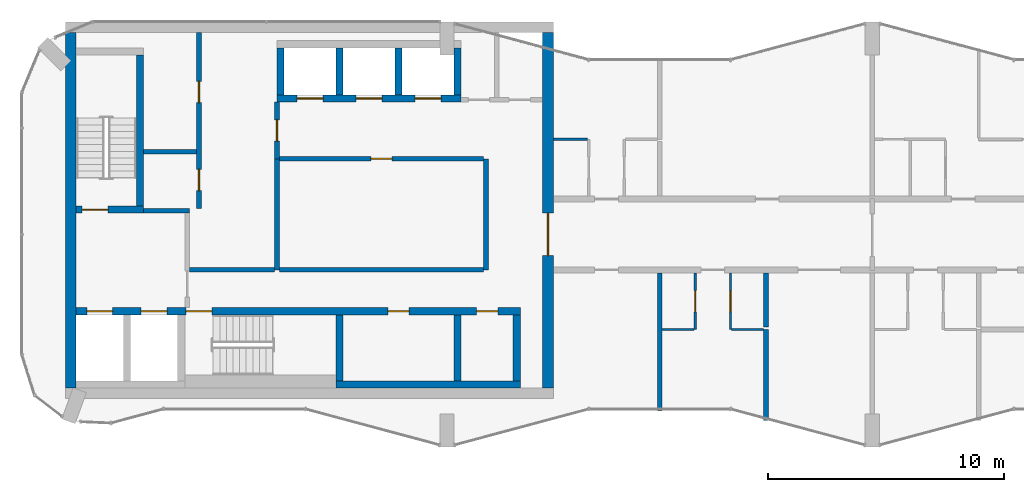
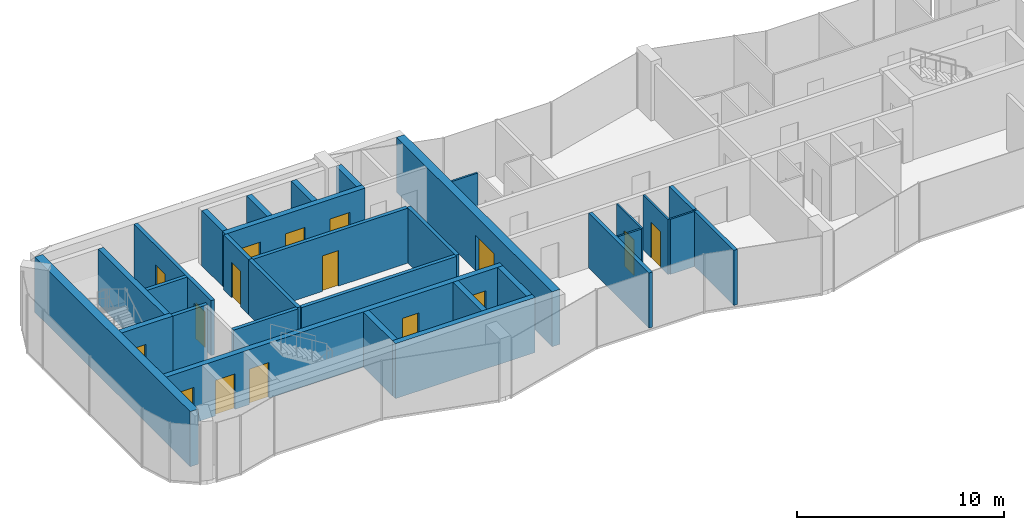
# One storey, part 7 of 10: 31 walls, 16 doors, 16 openings.
"""IFC4 building model written with IfcOpenShell, lengths in metres."""

from ifc_helpers import new_model, si_unit, direction, frame, frame_2d, origin, place, context, subcontext, project, spatial, rectangle, extrude, material, layer, layer_set, type_object, element, fill, save


model = new_model("IFC4")

# Units and contexts
model_context = context("Model", 3, precision=1e-05, world=origin(), true_north=direction((0.0, 1.0)))
body_context = subcontext(model_context, "Body", "Model", "MODEL_VIEW")
ifc_project = project(units=[si_unit("LENGTHUNIT", "METRE"), si_unit("AREAUNIT", "SQUARE_METRE"), si_unit("VOLUMEUNIT", "CUBIC_METRE"), si_unit("PLANEANGLEUNIT", "RADIAN"), si_unit("MASSUNIT", "GRAM", prefix="KILO")], contexts=[model_context])

# Site, building, storey
site_placement = place(None, origin())
site = spatial("IfcSite", under=ifc_project, at=site_placement, CompositionType="ELEMENT")
building_placement = place(site_placement, origin())
building = spatial("IfcBuilding", under=site, at=building_placement, Name="Plateau Cross Towers", CompositionType="ELEMENT")
storey_placement = place(building_placement, frame((0.0, 0.0, 270.39990234375)))
storey = spatial("IfcBuildingStorey", under=building, at=storey_placement, Name="L71", CompositionType="ELEMENT", Elevation=270.39990234375)

# Walls
ifc_material_1 = material(Name="Concrete block, plastered both sides", Category="concrete")
ifc_layer_1 = layer(ifc_material_1, 0.199951171875)
ifc_layer_set_1 = layer_set([ifc_layer_1], Name="Concrete block, plastered both sides")
wall_type_1 = type_object("IfcWallType", Name="Core partition 200", PredefinedType="PARTITIONING", material=ifc_layer_set_1)
wall_1_placement = place(storey_placement, frame((5.14990234375, 10.0, 0.0), z_axis=(0.0, 0.0, 1.0), x_axis=(1.0, 0.0, 0.0)))
element("IfcWall", 1, at=wall_1_placement, inside=storey, type_object=wall_type_1, Name="Core partition", PredefinedType="PARTITIONING", context=body_context, shape_type="SweptSolid", body=[
    extrude(rectangle(XDim=1.9501953125, YDim=0.199951171875, at=frame_2d((0.97509765625, 0.0))), origin(), (0.0, 0.0, 1.0), 3.25),
])
wall_2_placement = place(storey_placement, frame((7.10009765625, 7.5, 0.0), z_axis=(0.0, 0.0, 1.0), x_axis=(1.0, 0.0, 0.0)))
element("IfcWall", 2, at=wall_2_placement, inside=storey, type_object=wall_type_1, Name="Core partition", PredefinedType="PARTITIONING", context=body_context, shape_type="SweptSolid", body=[
    extrude(rectangle(XDim=3.599853515625, YDim=0.199951171875, at=frame_2d((1.7998046875, 0.0))), origin(), (0.0, 0.0, 1.0), 3.25),
])

# Wall, opening, door
wall_3_placement = place(storey_placement, frame((10.800048828125, 12.199951171875, 0.0), z_axis=(0.0, 0.0, 1.0), x_axis=(0.0, 1.0, 0.0)))
wall_3 = element("IfcWall", 3, at=wall_3_placement, inside=storey, type_object=wall_type_1, Name="Core partition", PredefinedType="PARTITIONING", context=body_context, shape_type="SweptSolid", body=[
    extrude(rectangle(XDim=2.400146484375, YDim=0.199951171875, at=frame_2d((1.2001953125, 0.0))), origin(), (0.0, 0.0, 1.0), 3.25),
])
opening_1_placement = place(wall_3_placement, frame((0.75, 0.0, 0.0)))
opening_1 = element("IfcOpeningElement", 4, at=opening_1_placement, cuts=wall_3, Name="Opening RD1", PredefinedType="OPENING", context=body_context, shape_type="SweptSolid", body=[
    extrude(rectangle(XDim=0.89990234375, YDim=2.10009765625, at=frame_2d((0.449951171875, 1.050048828125))), frame((0.0, 0.10986328125, 0.0), z_axis=(0.0, -1.0, 0.0), x_axis=(1.0, 0.0, 0.0)), (0.0, 0.0, 1.0), 0.219970703125),
])
ifc_material_2 = material(Name="Timber, fire-resisting leaf", Category="wood")
door_type_1 = type_object("IfcDoorType", Name="Core service door 900", OperationType="NOTDEFINED", PredefinedType="DOOR", material=ifc_material_2)
door_1_placement = place(opening_1_placement, origin())
door_1 = element("IfcDoor", 5, at=door_1_placement, inside=storey, type_object=door_type_1, Name="Core service door RD1", OperationType="SINGLE_SWING_LEFT", OverallHeight=2.10009765625, OverallWidth=0.89990234375, PredefinedType="DOOR", context=body_context, shape_type="SweptSolid", body=[
    extrude(rectangle(XDim=0.89990234375, YDim=2.10009765625, at=frame_2d((0.449951171875, 1.050048828125))), frame((0.0, 0.02490234375, 0.0), z_axis=(0.0, -1.0, 0.0), x_axis=(1.0, 0.0, 0.0)), (0.0, 0.0, 1.0), 0.050048828125),
])
fill(opening_1, door_1)

# Walls
wall_4_placement = place(storey_placement, frame((10.800048828125, 7.5, 0.0), z_axis=(0.0, 0.0, 1.0), x_axis=(0.0, 1.0, 0.0)))
element("IfcWall", 6, at=wall_4_placement, inside=storey, type_object=wall_type_1, Name="Core partition", PredefinedType="PARTITIONING", context=body_context, shape_type="SweptSolid", body=[
    extrude(rectangle(XDim=4.699951171875, YDim=0.199951171875, at=frame_2d((2.35009765625, 0.0))), origin(), (0.0, 0.0, 1.0), 3.25),
])
wall_5_placement = place(storey_placement, frame((10.89990234375, 7.5, 0.0), z_axis=(0.0, 0.0, 1.0), x_axis=(1.0, 0.0, 0.0)))
element("IfcWall", 7, at=wall_5_placement, inside=storey, type_object=wall_type_1, Name="Core partition", PredefinedType="PARTITIONING", context=body_context, shape_type="SweptSolid", body=[
    extrude(rectangle(XDim=8.650146484375, YDim=0.199951171875, at=frame_2d((4.3251953125, 0.0))), origin(), (0.0, 0.0, 1.0), 3.25),
])
wall_6_placement = place(storey_placement, frame((19.64990234375, 7.5, 0.0), z_axis=(0.0, 0.0, 1.0), x_axis=(0.0, 1.0, 0.0)))
element("IfcWall", 8, at=wall_6_placement, inside=storey, type_object=wall_type_1, Name="Core partition", PredefinedType="PARTITIONING", context=body_context, shape_type="SweptSolid", body=[
    extrude(rectangle(XDim=4.699951171875, YDim=0.199951171875, at=frame_2d((2.35009765625, 0.0))), origin(), (0.0, 0.0, 1.0), 3.25),
])

# Wall, opening, door
wall_7_placement = place(storey_placement, frame((10.89990234375, 12.199951171875, 0.0), z_axis=(0.0, 0.0, 1.0), x_axis=(1.0, 0.0, 0.0)))
wall_7 = element("IfcWall", 9, at=wall_7_placement, inside=storey, type_object=wall_type_1, Name="Core partition", PredefinedType="PARTITIONING", context=body_context, shape_type="SweptSolid", body=[
    extrude(rectangle(XDim=8.650146484375, YDim=0.199951171875, at=frame_2d((4.3251953125, 0.0))), origin(), (0.0, 0.0, 1.0), 3.25),
])
opening_2_placement = place(wall_7_placement, frame((3.875, 0.0, 0.0)))
opening_2 = element("IfcOpeningElement", 10, at=opening_2_placement, cuts=wall_7, Name="Opening RD1", PredefinedType="OPENING", context=body_context, shape_type="SweptSolid", body=[
    extrude(rectangle(XDim=0.89990234375, YDim=2.10009765625, at=frame_2d((0.449951171875, 1.050048828125))), frame((0.0, 0.10986328125, 0.0), z_axis=(0.0, -1.0, 0.0), x_axis=(1.0, 0.0, 0.0)), (0.0, 0.0, 1.0), 0.219970703125),
])
door_2_placement = place(opening_2_placement, origin())
door_2 = element("IfcDoor", 11, at=door_2_placement, inside=storey, type_object=door_type_1, Name="Core service door RD1", OperationType="SINGLE_SWING_LEFT", OverallHeight=2.10009765625, OverallWidth=0.89990234375, PredefinedType="DOOR", context=body_context, shape_type="SweptSolid", body=[
    extrude(rectangle(XDim=0.89990234375, YDim=2.10009765625, at=frame_2d((0.449951171875, 1.050048828125))), frame((0.0, 0.02490234375, 0.0), z_axis=(0.0, -1.0, 0.0), x_axis=(1.0, 0.0, 0.0)), (0.0, 0.0, 1.0), 0.050048828125),
])
fill(opening_2, door_2)

# Wall, openings, doors
wall_8_placement = place(storey_placement, frame((7.5, 10.10009765625, 0.0), z_axis=(0.0, 0.0, 1.0), x_axis=(0.0, 1.0, 0.0)))
wall_8 = element("IfcWall", 12, at=wall_8_placement, inside=storey, type_object=wall_type_1, Name="Core partition", PredefinedType="PARTITIONING", context=body_context, shape_type="SweptSolid", body=[
    extrude(rectangle(XDim=7.449951171875, YDim=0.199951171875, at=frame_2d((3.72509765625, 0.0))), origin(), (0.0, 0.0, 1.0), 3.25),
])
opening_3_placement = place(wall_8_placement, frame((0.75, 0.0, 0.0)))
opening_3 = element("IfcOpeningElement", 13, at=opening_3_placement, cuts=wall_8, Name="Opening RD1", PredefinedType="OPENING", context=body_context, shape_type="SweptSolid", body=[
    extrude(rectangle(XDim=0.89990234375, YDim=2.10009765625, at=frame_2d((0.449951171875, 1.050048828125))), frame((0.0, 0.10986328125, 0.0), z_axis=(0.0, -1.0, 0.0), x_axis=(1.0, 0.0, 0.0)), (0.0, 0.0, 1.0), 0.219970703125),
])
opening_4_placement = place(wall_8_placement, frame((4.47509765625, 0.0, 0.0)))
opening_4 = element("IfcOpeningElement", 14, at=opening_4_placement, cuts=wall_8, Name="Opening RD1", PredefinedType="OPENING", context=body_context, shape_type="SweptSolid", body=[
    extrude(rectangle(XDim=0.89990234375, YDim=2.10009765625, at=frame_2d((0.449951171875, 1.050048828125))), frame((0.0, 0.10986328125, 0.0), z_axis=(0.0, -1.0, 0.0), x_axis=(1.0, 0.0, 0.0)), (0.0, 0.0, 1.0), 0.219970703125),
])
door_3_placement = place(opening_3_placement, origin())
door_3 = element("IfcDoor", 15, at=door_3_placement, inside=storey, type_object=door_type_1, Name="Core service door RD1", OperationType="SINGLE_SWING_RIGHT", OverallHeight=2.10009765625, OverallWidth=0.89990234375, PredefinedType="DOOR", context=body_context, shape_type="SweptSolid", body=[
    extrude(rectangle(XDim=0.89990234375, YDim=2.10009765625, at=frame_2d((0.449951171875, 1.050048828125))), frame((0.0, 0.02490234375, 0.0), z_axis=(0.0, -1.0, 0.0), x_axis=(1.0, 0.0, 0.0)), (0.0, 0.0, 1.0), 0.050048828125),
])
fill(opening_3, door_3)
door_4_placement = place(opening_4_placement, origin())
door_4 = element("IfcDoor", 16, at=door_4_placement, inside=storey, type_object=door_type_1, Name="Core service door RD1", OperationType="SINGLE_SWING_RIGHT", OverallHeight=2.10009765625, OverallWidth=0.89990234375, PredefinedType="DOOR", context=body_context, shape_type="SweptSolid", body=[
    extrude(rectangle(XDim=0.89990234375, YDim=2.10009765625, at=frame_2d((0.449951171875, 1.050048828125))), frame((0.0, 0.02490234375, 0.0), z_axis=(0.0, -1.0, 0.0), x_axis=(1.0, 0.0, 0.0)), (0.0, 0.0, 1.0), 0.050048828125),
])
fill(opening_4, door_4)

# Walls
wall_9_placement = place(storey_placement, frame((5.14990234375, 12.5, 0.0), z_axis=(0.0, 0.0, 1.0), x_axis=(1.0, 0.0, 0.0)))
element("IfcWall", 17, at=wall_9_placement, inside=storey, type_object=wall_type_1, Name="Core partition", PredefinedType="PARTITIONING", context=body_context, shape_type="SweptSolid", body=[
    extrude(rectangle(XDim=2.25, YDim=0.199951171875, at=frame_2d((1.125, 0.0))), origin(), (0.0, 0.0, 1.0), 3.25),
])
ifc_material_3 = material(Name="Concrete C60/75", Category="concrete")
ifc_layer_2 = layer(ifc_material_3, 0.300048828125)
ifc_layer_set_2 = layer_set([ifc_layer_2], Name="Concrete C60/75")
wall_type_2 = type_object("IfcWallType", Name="Core shaft wall 300", PredefinedType="SHEAR", material=ifc_layer_set_2)
wall_10_placement = place(storey_placement, frame((13.300048828125, 2.64990234375, 0.0), z_axis=(0.0, 0.0, 1.0), x_axis=(1.0, 0.0, 0.0)))
element("IfcWall", 18, at=wall_10_placement, inside=storey, type_object=wall_type_2, Name="A-sb-back3@L71", PredefinedType="SHEAR", context=body_context, shape_type="SweptSolid", body=[
    extrude(rectangle(XDim=7.800048828125, YDim=0.300048828125, at=frame_2d((3.89990234375, 0.0))), origin(), (0.0, 0.0, 1.0), 3.25),
])
for number, where, z_axis, x_axis, name in (
    (19, (13.449951171875, 2.800048828125, 0.0), (0.0, 0.0, 1.0), (0.0, 1.0, 0.0), "A-sb-v3@L71"),
    (20, (18.449951171875, 2.800048828125, 0.0), (0.0, 0.0, 1.0), (0.0, 1.0, 0.0), "A-sb-v5@L71"),
    (21, (20.949951171875, 2.800048828125, 0.0), (0.0, 0.0, 1.0), (0.0, 1.0, 0.0), "A-sb-v6@L71"),
):
    element("IfcWall", number, at=place(storey_placement, frame(where, z_axis=z_axis, x_axis=x_axis)), inside=storey, type_object=wall_type_2, Name=name, PredefinedType="SHEAR", context=body_context, shape_type="SweptSolid", body=[
        extrude(rectangle(XDim=2.800048828125, YDim=0.300048828125, at=frame_2d((1.39990234375, 0.0))), origin(), (0.0, 0.0, 1.0), 3.25),
    ])

# Wall, openings, doors
wall_11_placement = place(storey_placement, frame((2.300048828125, 5.75, 0.0), z_axis=(0.0, 0.0, 1.0), x_axis=(1.0, 0.0, 0.0)))
wall_11 = element("IfcWall", 22, at=wall_11_placement, inside=storey, type_object=wall_type_2, Name="A-sb-front@L71", PredefinedType="SHEAR", context=body_context, shape_type="SweptSolid", body=[
    extrude(rectangle(XDim=18.800048828125, YDim=0.300048828125, at=frame_2d((9.39990234375, 0.0))), origin(), (0.0, 0.0, 1.0), 3.25),
])
opening_5_placement = place(wall_11_placement, frame((4.64990234375, 0.0, 0.0)))
opening_5 = element("IfcOpeningElement", 23, at=opening_5_placement, cuts=wall_11, Name="Opening SD", PredefinedType="OPENING", context=body_context, shape_type="SweptSolid", body=[
    extrude(rectangle(XDim=1.10009765625, YDim=2.10009765625, at=frame_2d((0.550048828125, 1.050048828125))), frame((0.0, 0.159912109375, 0.0), z_axis=(0.0, -1.0, 0.0), x_axis=(1.0, 0.0, 0.0)), (0.0, 0.0, 1.0), 0.320068359375),
])
opening_6_placement = place(wall_11_placement, frame((0.449951171875, 0.0, 0.0)))
opening_6 = element("IfcOpeningElement", 24, at=opening_6_placement, cuts=wall_11, Name="Opening LD", PredefinedType="OPENING", context=body_context, shape_type="SweptSolid", body=[
    extrude(rectangle(XDim=1.10009765625, YDim=2.10009765625, at=frame_2d((0.550048828125, 1.050048828125))), frame((0.0, 0.159912109375, 0.0), z_axis=(0.0, -1.0, 0.0), x_axis=(1.0, 0.0, 0.0)), (0.0, 0.0, 1.0), 0.320068359375),
])
opening_7_placement = place(wall_11_placement, frame((2.75, 0.0, 0.0)))
opening_7 = element("IfcOpeningElement", 25, at=opening_7_placement, cuts=wall_11, Name="Opening LD", PredefinedType="OPENING", context=body_context, shape_type="SweptSolid", body=[
    extrude(rectangle(XDim=1.10009765625, YDim=2.10009765625, at=frame_2d((0.550048828125, 1.050048828125))), frame((0.0, 0.159912109375, 0.0), z_axis=(0.0, -1.0, 0.0), x_axis=(1.0, 0.0, 0.0)), (0.0, 0.0, 1.0), 0.320068359375),
])
opening_8_placement = place(wall_11_placement, frame((13.199951171875, 0.0, 0.0)))
opening_8 = element("IfcOpeningElement", 26, at=opening_8_placement, cuts=wall_11, Name="Opening RD2", PredefinedType="OPENING", context=body_context, shape_type="SweptSolid", body=[
    extrude(rectangle(XDim=0.89990234375, YDim=2.10009765625, at=frame_2d((0.449951171875, 1.050048828125))), frame((0.0, 0.159912109375, 0.0), z_axis=(0.0, -1.0, 0.0), x_axis=(1.0, 0.0, 0.0)), (0.0, 0.0, 1.0), 0.320068359375),
])
opening_9_placement = place(wall_11_placement, frame((16.949951171875, 0.0, 0.0)))
opening_9 = element("IfcOpeningElement", 27, at=opening_9_placement, cuts=wall_11, Name="Opening RD2", PredefinedType="OPENING", context=body_context, shape_type="SweptSolid", body=[
    extrude(rectangle(XDim=0.89990234375, YDim=2.10009765625, at=frame_2d((0.449951171875, 1.050048828125))), frame((0.0, 0.159912109375, 0.0), z_axis=(0.0, -1.0, 0.0), x_axis=(1.0, 0.0, 0.0)), (0.0, 0.0, 1.0), 0.320068359375),
])
ifc_material_4 = material(Name="Steel, fire-resisting leaf", Category="steel")
door_type_2 = type_object("IfcDoorType", Name="Core riser door 900", OperationType="NOTDEFINED", PredefinedType="DOOR", material=ifc_material_4)
door_5_placement = place(opening_8_placement, origin())
door_5 = element("IfcDoor", 28, at=door_5_placement, inside=storey, type_object=door_type_2, Name="Core riser door RD2", OperationType="SINGLE_SWING_LEFT", OverallHeight=2.10009765625, OverallWidth=0.89990234375, PredefinedType="DOOR", context=body_context, shape_type="SweptSolid", body=[
    extrude(rectangle(XDim=0.89990234375, YDim=2.10009765625, at=frame_2d((0.449951171875, 1.050048828125))), frame((0.0, 0.02490234375, 0.0), z_axis=(0.0, -1.0, 0.0), x_axis=(1.0, 0.0, 0.0)), (0.0, 0.0, 1.0), 0.050048828125),
])
fill(opening_8, door_5)
door_6_placement = place(opening_9_placement, origin())
door_6 = element("IfcDoor", 29, at=door_6_placement, inside=storey, type_object=door_type_2, Name="Core riser door RD2", OperationType="SINGLE_SWING_LEFT", OverallHeight=2.10009765625, OverallWidth=0.89990234375, PredefinedType="DOOR", context=body_context, shape_type="SweptSolid", body=[
    extrude(rectangle(XDim=0.89990234375, YDim=2.10009765625, at=frame_2d((0.449951171875, 1.050048828125))), frame((0.0, 0.02490234375, 0.0), z_axis=(0.0, -1.0, 0.0), x_axis=(1.0, 0.0, 0.0)), (0.0, 0.0, 1.0), 0.050048828125),
])
fill(opening_9, door_6)
ifc_material_5 = material(Name="Stainless steel, fire-resisting sliding leaves", Category="steel")
door_type_3 = type_object("IfcDoorType", Name="Lift landing door 1100", OperationType="NOTDEFINED", PredefinedType="DOOR", material=ifc_material_5)
door_7_placement = place(opening_6_placement, origin())
door_7 = element("IfcDoor", 30, at=door_7_placement, inside=storey, type_object=door_type_3, Name="Lift landing door LD", OperationType="DOUBLE_DOOR_SLIDING", OverallHeight=2.10009765625, OverallWidth=1.10009765625, PredefinedType="DOOR", context=body_context, shape_type="SweptSolid", body=[
    extrude(rectangle(XDim=1.10009765625, YDim=2.10009765625, at=frame_2d((0.550048828125, 1.050048828125))), frame((0.0, 0.02490234375, 0.0), z_axis=(0.0, -1.0, 0.0), x_axis=(1.0, 0.0, 0.0)), (0.0, 0.0, 1.0), 0.050048828125),
])
fill(opening_6, door_7)
door_8_placement = place(opening_7_placement, origin())
door_8 = element("IfcDoor", 31, at=door_8_placement, inside=storey, type_object=door_type_3, Name="Lift landing door LD", OperationType="DOUBLE_DOOR_SLIDING", OverallHeight=2.10009765625, OverallWidth=1.10009765625, PredefinedType="DOOR", context=body_context, shape_type="SweptSolid", body=[
    extrude(rectangle(XDim=1.10009765625, YDim=2.10009765625, at=frame_2d((0.550048828125, 1.050048828125))), frame((0.0, 0.02490234375, 0.0), z_axis=(0.0, -1.0, 0.0), x_axis=(1.0, 0.0, 0.0)), (0.0, 0.0, 1.0), 0.050048828125),
])
fill(opening_7, door_8)
door_type_4 = type_object("IfcDoorType", Name="Stair door 1100", OperationType="NOTDEFINED", PredefinedType="DOOR", material=ifc_material_4)
door_9_placement = place(opening_5_placement, origin())
door_9 = element("IfcDoor", 32, at=door_9_placement, inside=storey, type_object=door_type_4, Name="Stair door SD", OperationType="SINGLE_SWING_LEFT", OverallHeight=2.10009765625, OverallWidth=1.10009765625, PredefinedType="DOOR", context=body_context, shape_type="SweptSolid", body=[
    extrude(rectangle(XDim=1.10009765625, YDim=2.10009765625, at=frame_2d((0.550048828125, 1.050048828125))), frame((0.0, 0.02490234375, 0.0), z_axis=(0.0, -1.0, 0.0), x_axis=(1.0, 0.0, 0.0)), (0.0, 0.0, 1.0), 0.050048828125),
])
fill(opening_5, door_9)

# Wall, opening, door
wall_12_placement = place(storey_placement, frame((2.300048828125, 10.050048828125, 0.0), z_axis=(0.0, 0.0, 1.0), x_axis=(1.0, 0.0, 0.0)))
wall_12 = element("IfcWall", 33, at=wall_12_placement, inside=storey, type_object=wall_type_2, Name="A-st1-S@L71", PredefinedType="SHEAR", context=body_context, shape_type="SweptSolid", body=[
    extrude(rectangle(XDim=2.849853515625, YDim=0.300048828125, at=frame_2d((1.4248046875, 0.0))), origin(), (0.0, 0.0, 1.0), 3.25),
])
opening_10_placement = place(wall_12_placement, frame((0.25, 0.0, 0.0)))
opening_10 = element("IfcOpeningElement", 34, at=opening_10_placement, cuts=wall_12, Name="Opening SD", PredefinedType="OPENING", context=body_context, shape_type="SweptSolid", body=[
    extrude(rectangle(XDim=1.10009765625, YDim=2.10009765625, at=frame_2d((0.550048828125, 1.050048828125))), frame((0.0, 0.159912109375, 0.0), z_axis=(0.0, -1.0, 0.0), x_axis=(1.0, 0.0, 0.0)), (0.0, 0.0, 1.0), 0.320068359375),
])
door_10_placement = place(opening_10_placement, origin())
door_10 = element("IfcDoor", 35, at=door_10_placement, inside=storey, type_object=door_type_4, Name="Stair door SD", OperationType="SINGLE_SWING_RIGHT", OverallHeight=2.10009765625, OverallWidth=1.10009765625, PredefinedType="DOOR", context=body_context, shape_type="SweptSolid", body=[
    extrude(rectangle(XDim=1.10009765625, YDim=2.10009765625, at=frame_2d((0.550048828125, 1.050048828125))), frame((0.0, 0.02490234375, 0.0), z_axis=(0.0, -1.0, 0.0), x_axis=(1.0, 0.0, 0.0)), (0.0, 0.0, 1.0), 0.050048828125),
])
fill(opening_10, door_10)

# Wall
wall_13_placement = place(storey_placement, frame((5.0, 10.199951171875, 0.0), z_axis=(0.0, 0.0, 1.0), x_axis=(0.0, 1.0, 0.0)))
element("IfcWall", 36, at=wall_13_placement, inside=storey, type_object=wall_type_2, Name="A-st1-E@L71", PredefinedType="SHEAR", context=body_context, shape_type="SweptSolid", body=[
    extrude(rectangle(XDim=6.400146484375, YDim=0.300048828125, at=frame_2d((3.2001953125, 0.0))), origin(), (0.0, 0.0, 1.0), 3.25),
])

# Wall, openings, doors
wall_14_placement = place(storey_placement, frame((10.800048828125, 14.75, 0.0), z_axis=(0.0, 0.0, 1.0), x_axis=(1.0, 0.0, 0.0)))
wall_14 = element("IfcWall", 37, at=wall_14_placement, inside=storey, type_object=wall_type_2, Name="A-nb-front@L71", PredefinedType="SHEAR", context=body_context, shape_type="SweptSolid", body=[
    extrude(rectangle(XDim=7.800048828125, YDim=0.300048828125, at=frame_2d((3.89990234375, 0.0))), origin(), (0.0, 0.0, 1.0), 3.25),
])
opening_11_placement = place(wall_14_placement, frame((0.85009765625, 0.0, 0.0)))
opening_11 = element("IfcOpeningElement", 38, at=opening_11_placement, cuts=wall_14, Name="Opening LD", PredefinedType="OPENING", context=body_context, shape_type="SweptSolid", body=[
    extrude(rectangle(XDim=1.10009765625, YDim=2.10009765625, at=frame_2d((0.550048828125, 1.050048828125))), frame((0.0, 0.159912109375, 0.0), z_axis=(0.0, -1.0, 0.0), x_axis=(1.0, 0.0, 0.0)), (0.0, 0.0, 1.0), 0.320068359375),
])
opening_12_placement = place(wall_14_placement, frame((3.35009765625, 0.0, 0.0)))
opening_12 = element("IfcOpeningElement", 39, at=opening_12_placement, cuts=wall_14, Name="Opening LD", PredefinedType="OPENING", context=body_context, shape_type="SweptSolid", body=[
    extrude(rectangle(XDim=1.10009765625, YDim=2.10009765625, at=frame_2d((0.550048828125, 1.050048828125))), frame((0.0, 0.159912109375, 0.0), z_axis=(0.0, -1.0, 0.0), x_axis=(1.0, 0.0, 0.0)), (0.0, 0.0, 1.0), 0.320068359375),
])
opening_13_placement = place(wall_14_placement, frame((5.85009765625, 0.0, 0.0)))
opening_13 = element("IfcOpeningElement", 40, at=opening_13_placement, cuts=wall_14, Name="Opening LD", PredefinedType="OPENING", context=body_context, shape_type="SweptSolid", body=[
    extrude(rectangle(XDim=1.10009765625, YDim=2.10009765625, at=frame_2d((0.550048828125, 1.050048828125))), frame((0.0, 0.159912109375, 0.0), z_axis=(0.0, -1.0, 0.0), x_axis=(1.0, 0.0, 0.0)), (0.0, 0.0, 1.0), 0.320068359375),
])
door_11_placement = place(opening_11_placement, origin())
door_11 = element("IfcDoor", 41, at=door_11_placement, inside=storey, type_object=door_type_3, Name="Lift landing door LD", OperationType="DOUBLE_DOOR_SLIDING", OverallHeight=2.10009765625, OverallWidth=1.10009765625, PredefinedType="DOOR", context=body_context, shape_type="SweptSolid", body=[
    extrude(rectangle(XDim=1.10009765625, YDim=2.10009765625, at=frame_2d((0.550048828125, 1.050048828125))), frame((0.0, 0.02490234375, 0.0), z_axis=(0.0, -1.0, 0.0), x_axis=(1.0, 0.0, 0.0)), (0.0, 0.0, 1.0), 0.050048828125),
])
fill(opening_11, door_11)
door_12_placement = place(opening_12_placement, origin())
door_12 = element("IfcDoor", 42, at=door_12_placement, inside=storey, type_object=door_type_3, Name="Lift landing door LD", OperationType="DOUBLE_DOOR_SLIDING", OverallHeight=2.10009765625, OverallWidth=1.10009765625, PredefinedType="DOOR", context=body_context, shape_type="SweptSolid", body=[
    extrude(rectangle(XDim=1.10009765625, YDim=2.10009765625, at=frame_2d((0.550048828125, 1.050048828125))), frame((0.0, 0.02490234375, 0.0), z_axis=(0.0, -1.0, 0.0), x_axis=(1.0, 0.0, 0.0)), (0.0, 0.0, 1.0), 0.050048828125),
])
fill(opening_12, door_12)
door_13_placement = place(opening_13_placement, origin())
door_13 = element("IfcDoor", 43, at=door_13_placement, inside=storey, type_object=door_type_3, Name="Lift landing door LD", OperationType="DOUBLE_DOOR_SLIDING", OverallHeight=2.10009765625, OverallWidth=1.10009765625, PredefinedType="DOOR", context=body_context, shape_type="SweptSolid", body=[
    extrude(rectangle(XDim=1.10009765625, YDim=2.10009765625, at=frame_2d((0.550048828125, 1.050048828125))), frame((0.0, 0.02490234375, 0.0), z_axis=(0.0, -1.0, 0.0), x_axis=(1.0, 0.0, 0.0)), (0.0, 0.0, 1.0), 0.050048828125),
])
fill(opening_13, door_13)

# Walls
for number, where, z_axis, x_axis, name in (
    (44, (10.949951171875, 14.89990234375, 0.0), (0.0, 0.0, 1.0), (0.0, 1.0, 0.0), "A-nb-v1@L71"),
    (45, (13.449951171875, 14.89990234375, 0.0), (0.0, 0.0, 1.0), (0.0, 1.0, 0.0), "A-nb-v2@L71"),
    (46, (15.949951171875, 14.89990234375, 0.0), (0.0, 0.0, 1.0), (0.0, 1.0, 0.0), "A-nb-v3@L71"),
    (47, (18.449951171875, 14.89990234375, 0.0), (0.0, 0.0, 1.0), (0.0, 1.0, 0.0), "A-nb-v4@L71"),
):
    element("IfcWall", number, at=place(storey_placement, frame(where, z_axis=z_axis, x_axis=x_axis)), inside=storey, type_object=wall_type_2, Name=name, PredefinedType="SHEAR", context=body_context, shape_type="SweptSolid", body=[
        extrude(rectangle(XDim=2.0, YDim=0.300048828125, at=frame_2d((1.0, 0.0))), origin(), (0.0, 0.0, 1.0), 3.25),
    ])
ifc_layer_3 = layer(ifc_material_3, 0.449951171875)
ifc_layer_set_3 = layer_set([ifc_layer_3], Name="Concrete C60/75")
wall_type_3 = type_object("IfcWallType", Name="Core shell wall 450", PredefinedType="SHEAR", material=ifc_layer_set_3)
wall_15_placement = place(storey_placement, frame((2.074951171875, 2.5, 0.0), z_axis=(0.0, 0.0, 1.0), x_axis=(0.0, 1.0, 0.0)))
element("IfcWall", 48, at=wall_15_placement, inside=storey, type_object=wall_type_3, Name="A-core-W@L71", PredefinedType="SHEAR", context=body_context, shape_type="SweptSolid", body=[
    extrude(rectangle(XDim=15.050048828125, YDim=0.449951171875, at=frame_2d((7.52490234375, 0.0))), origin(), (0.0, 0.0, 1.0), 3.25),
])

# Wall, opening, door
wall_16_placement = place(storey_placement, frame((22.27490234375, 2.5, 0.0), z_axis=(0.0, 0.0, 1.0), x_axis=(0.0, 1.0, 0.0)))
wall_16 = element("IfcWall", 49, at=wall_16_placement, inside=storey, type_object=wall_type_3, Name="A-core-E@L71", PredefinedType="SHEAR", context=body_context, shape_type="SweptSolid", body=[
    extrude(rectangle(XDim=15.050048828125, YDim=0.449951171875, at=frame_2d((7.52490234375, 0.0))), origin(), (0.0, 0.0, 1.0), 3.25),
])
opening_14_placement = place(wall_16_placement, frame((5.60009765625, 0.0, 0.0)))
opening_14 = element("IfcOpeningElement", 50, at=opening_14_placement, cuts=wall_16, Name="Opening CD", PredefinedType="OPENING", context=body_context, shape_type="SweptSolid", body=[
    extrude(rectangle(XDim=1.800048828125, YDim=2.10009765625, at=frame_2d((0.89990234375, 1.050048828125))), frame((0.0, 0.23486328125, 0.0), z_axis=(0.0, -1.0, 0.0), x_axis=(1.0, 0.0, 0.0)), (0.0, 0.0, 1.0), 0.469970703125),
])
ifc_material_6 = material(Name="Steel, fire-resisting leaves", Category="steel")
door_type_5 = type_object("IfcDoorType", Name="Corridor door pair 1800", OperationType="NOTDEFINED", PredefinedType="DOOR", material=ifc_material_6)
door_14_placement = place(opening_14_placement, origin())
door_14 = element("IfcDoor", 51, at=door_14_placement, inside=storey, type_object=door_type_5, Name="Corridor door pair CD", OperationType="DOUBLE_DOOR_SINGLE_SWING", OverallHeight=2.10009765625, OverallWidth=1.800048828125, PredefinedType="DOOR", context=body_context, shape_type="SweptSolid", body=[
    extrude(rectangle(XDim=1.800048828125, YDim=2.10009765625, at=frame_2d((0.89990234375, 1.050048828125))), frame((0.0, 0.02490234375, 0.0), z_axis=(0.0, -1.0, 0.0), x_axis=(1.0, 0.0, 0.0)), (0.0, 0.0, 1.0), 0.050048828125),
])
fill(opening_14, door_14)

# Walls
ifc_material_7 = material(Name="Gypsum board on steel studs", Category="steel")
ifc_layer_4 = layer(ifc_material_7, 0.10009765625)
ifc_layer_set_4 = layer_set([ifc_layer_4], Name="Gypsum board on steel studs")
wall_type_4 = type_object("IfcWallType", Name="Flat partition 100", PredefinedType="PARTITIONING", material=ifc_layer_set_4)
for number, where, z_axis, x_axis, name in (
    (52, (27.10009765625, 4.97509765625, 0.0), (0.0, 0.0, 1.0), (1.0, 0.0, 0.0), "Partition wall"),
    (53, (30.050048828125, 4.97509765625, 0.0), (0.0, 0.0, 1.0), (1.0, 0.0, 0.0), "Partition wall"),
):
    element("IfcWall", number, at=place(storey_placement, frame(where, z_axis=z_axis, x_axis=x_axis)), inside=storey, type_object=wall_type_4, Name=name, PredefinedType="PARTITIONING", context=body_context, shape_type="SweptSolid", body=[
        extrude(rectangle(XDim=1.349853515625, YDim=0.10009765625, at=frame_2d((0.6748046875, 0.0))), origin(), (0.0, 0.0, 1.0), 3.25),
    ])
wall_17_placement = place(storey_placement, frame((23.949951171875, 13.02490234375, 0.0), z_axis=(0.0, 0.0, 1.0), x_axis=(-1.0, 0.0, 0.0)))
element("IfcWall", 54, at=wall_17_placement, inside=storey, type_object=wall_type_4, Name="Partition wall", PredefinedType="PARTITIONING", context=body_context, shape_type="SweptSolid", body=[
    extrude(rectangle(XDim=1.449951171875, YDim=0.10009765625, at=frame_2d((0.72509765625, 0.0))), origin(), (0.0, 0.0, 1.0), 3.25),
])

# Wall, opening, door
wall_18_placement = place(storey_placement, frame((28.5, 4.97509765625, 0.0), z_axis=(0.0, 0.0, 1.0), x_axis=(0.0, 1.0, 0.0)))
wall_18 = element("IfcWall", 55, at=wall_18_placement, inside=storey, type_object=wall_type_4, Name="Partition wall", PredefinedType="PARTITIONING", context=body_context, shape_type="SweptSolid", body=[
    extrude(rectangle(XDim=2.39990234375, YDim=0.10009765625, at=frame_2d((1.199951171875, 0.0))), origin(), (0.0, 0.0, 1.0), 3.25),
])
opening_15_placement = place(wall_18_placement, frame((0.75, 0.0, 0.0)))
opening_15 = element("IfcOpeningElement", 56, at=opening_15_placement, cuts=wall_18, Name="Opening 71-12", PredefinedType="OPENING", context=body_context, shape_type="SweptSolid", body=[
    extrude(rectangle(XDim=0.89990234375, YDim=2.10009765625, at=frame_2d((0.449951171875, 1.050048828125))), frame((0.0, 0.06005859375, 0.0), z_axis=(0.0, -1.0, 0.0), x_axis=(1.0, 0.0, 0.0)), (0.0, 0.0, 1.0), 0.1201171875),
])
ifc_material_8 = material(Name="Timber leaf", Category="wood")
door_type_6 = type_object("IfcDoorType", Name="Flat room door 900", OperationType="NOTDEFINED", PredefinedType="DOOR", material=ifc_material_8)
door_15_placement = place(opening_15_placement, origin())
door_15 = element("IfcDoor", 57, at=door_15_placement, inside=storey, type_object=door_type_6, Name="Door 71-12", OperationType="SINGLE_SWING_LEFT", OverallHeight=2.10009765625, OverallWidth=0.89990234375, PredefinedType="DOOR", context=body_context, shape_type="SweptSolid", body=[
    extrude(rectangle(XDim=0.89990234375, YDim=2.10009765625, at=frame_2d((0.449951171875, 1.050048828125))), frame((0.0, 0.02490234375, 0.0), z_axis=(0.0, -1.0, 0.0), x_axis=(1.0, 0.0, 0.0)), (0.0, 0.0, 1.0), 0.050048828125),
])
fill(opening_15, door_15)

wall_19_placement = place(storey_placement, frame((30.0, 7.375, 0.0), z_axis=(0.0, 0.0, 1.0), x_axis=(0.0, -1.0, 0.0)))
wall_19 = element("IfcWall", 58, at=wall_19_placement, inside=storey, type_object=wall_type_4, Name="Partition wall", PredefinedType="PARTITIONING", context=body_context, shape_type="SweptSolid", body=[
    extrude(rectangle(XDim=2.39990234375, YDim=0.10009765625, at=frame_2d((1.199951171875, 0.0))), origin(), (0.0, 0.0, 1.0), 3.25),
])
opening_16_placement = place(wall_19_placement, frame((0.75, 0.0, 0.0)))
opening_16 = element("IfcOpeningElement", 59, at=opening_16_placement, cuts=wall_19, Name="Opening 71-13", PredefinedType="OPENING", context=body_context, shape_type="SweptSolid", body=[
    extrude(rectangle(XDim=0.89990234375, YDim=2.10009765625, at=frame_2d((0.449951171875, 1.050048828125))), frame((0.0, 0.06005859375, 0.0), z_axis=(0.0, -1.0, 0.0), x_axis=(1.0, 0.0, 0.0)), (0.0, 0.0, 1.0), 0.1201171875),
])
door_16_placement = place(opening_16_placement, origin())
door_16 = element("IfcDoor", 60, at=door_16_placement, inside=storey, type_object=door_type_6, Name="Door 71-13", OperationType="SINGLE_SWING_LEFT", OverallHeight=2.10009765625, OverallWidth=0.89990234375, PredefinedType="DOOR", context=body_context, shape_type="SweptSolid", body=[
    extrude(rectangle(XDim=0.89990234375, YDim=2.10009765625, at=frame_2d((0.449951171875, 1.050048828125))), frame((0.0, 0.02490234375, 0.0), z_axis=(0.0, -1.0, 0.0), x_axis=(1.0, 0.0, 0.0)), (0.0, 0.0, 1.0), 0.050048828125),
])
fill(opening_16, door_16)

# Walls
ifc_material_9 = material(Name="Gypsum board on steel studs, two layers each side", Category="steel")
ifc_layer_5 = layer(ifc_material_9, 0.199951171875)
ifc_layer_set_5 = layer_set([ifc_layer_5], Name="Gypsum board on steel studs, two layers each side")
wall_type_5 = type_object("IfcWallType", Name="Flat party wall 200", PredefinedType="PARTITIONING", material=ifc_layer_set_5)
wall_20_placement = place(storey_placement, frame((27.0, 1.52685546875, 0.0), z_axis=(0.0, 0.0, 1.0), x_axis=(0.0, 1.0, 0.0)))
element("IfcWall", 61, at=wall_20_placement, inside=storey, type_object=wall_type_5, Name="Party wall", PredefinedType="PARTITIONING", context=body_context, shape_type="SweptSolid", body=[
    extrude(rectangle(XDim=5.84814453125, YDim=0.199951171875, at=frame_2d((2.924072265625, 0.0))), origin(), (0.0, 0.0, 1.0), 3.25),
])
wall_21_placement = place(storey_placement, frame((31.5, 4.97509765625, 0.0), z_axis=(0.0, 0.0, 1.0), x_axis=(0.0, -1.0, 0.0)))
element("IfcWall", 62, at=wall_21_placement, inside=storey, type_object=wall_type_5, Name="Party wall", PredefinedType="PARTITIONING", context=body_context, shape_type="SweptSolid", body=[
    extrude(rectangle(XDim=3.852783203125, YDim=0.199951171875, at=frame_2d((1.92626953125, 0.0))), origin(), (0.0, 0.0, 1.0), 3.25),
])
wall_22_placement = place(storey_placement, frame((31.5, 5.074951171875, 0.0), z_axis=(0.0, 0.0, 1.0), x_axis=(0.0, 1.0, 0.0)))
element("IfcWall", 63, at=wall_22_placement, inside=storey, type_object=wall_type_5, Name="Party wall", PredefinedType="PARTITIONING", context=body_context, shape_type="SweptSolid", body=[
    extrude(rectangle(XDim=2.300048828125, YDim=0.199951171875, at=frame_2d((1.14990234375, 0.0))), origin(), (0.0, 0.0, 1.0), 3.25),
])

save(model, "model.ifc")
